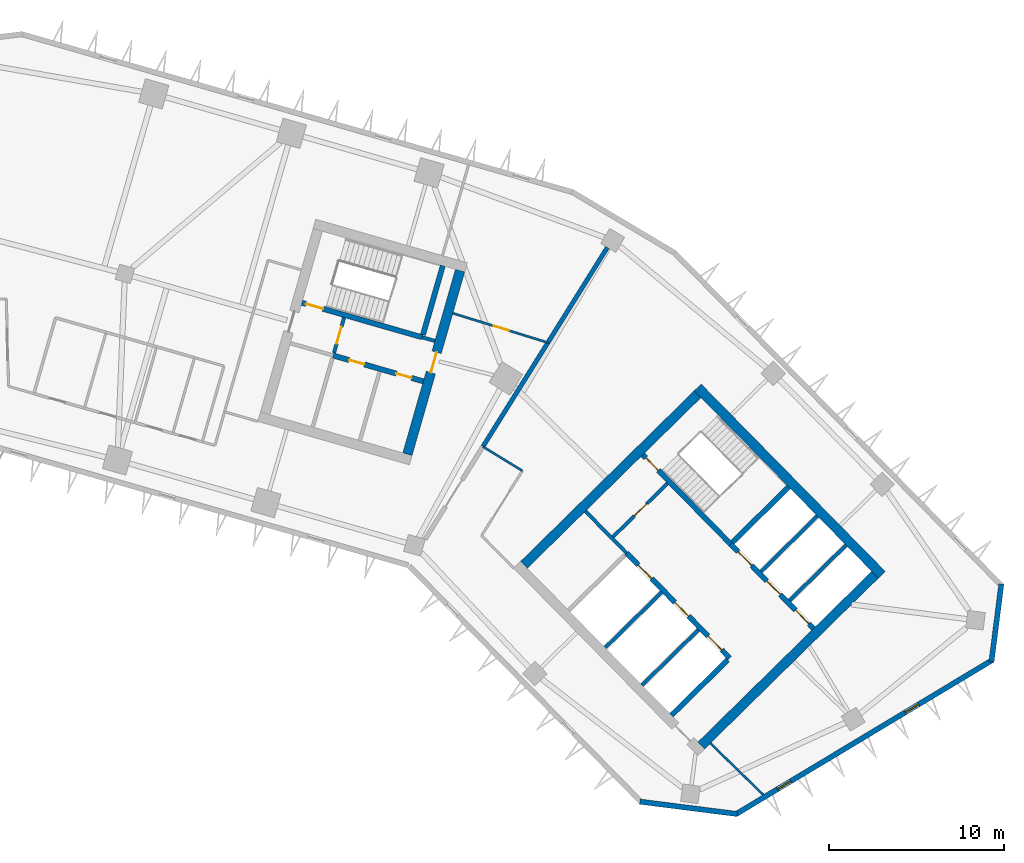
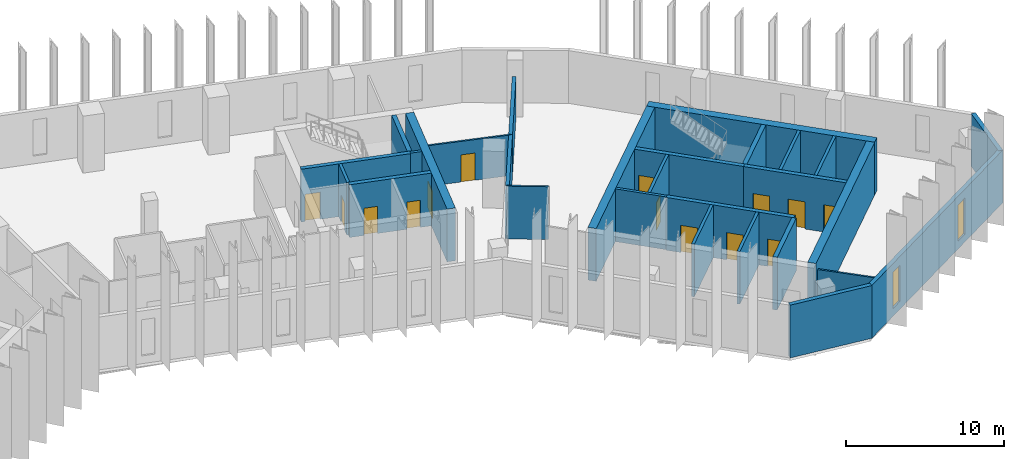
# One storey, part 6 of 11: 28 walls, 14 doors, 2 windows, 16 openings.
"""IFC4 building model written with IfcOpenShell, lengths in metres."""

from ifc_helpers import new_model, si_unit, direction, frame, frame_2d, origin, place, context, subcontext, project, spatial, rectangle, extrude, material, layer, layer_set, type_object, element, fill, save


model = new_model("IFC4")

# Units and contexts
model_context = context("Model", 3, precision=1e-05, world=origin(), true_north=direction((0.0, 1.0)))
body_context = subcontext(model_context, "Body", "Model", "MODEL_VIEW")
ifc_project = project(units=[si_unit("LENGTHUNIT", "METRE"), si_unit("AREAUNIT", "SQUARE_METRE"), si_unit("VOLUMEUNIT", "CUBIC_METRE"), si_unit("PLANEANGLEUNIT", "RADIAN"), si_unit("MASSUNIT", "GRAM", prefix="KILO")], contexts=[model_context])

# Site, building, storey
site_placement = place(None, origin())
site = spatial("IfcSite", under=ifc_project, at=site_placement, CompositionType="ELEMENT")
building_placement = place(site_placement, origin())
building = spatial("IfcBuilding", under=site, at=building_placement, Name="Binnacle Exchange Tower", CompositionType="ELEMENT")
storey_placement = place(building_placement, frame((0.0, 0.0, 123.5)))
storey = spatial("IfcBuildingStorey", under=building, at=storey_placement, Name="L25", CompositionType="ELEMENT", Elevation=123.5)

# Wall, openings, doors
ifc_material_1 = material(Name="Concrete C70/85", Category="concrete")
ifc_layer_1 = layer(ifc_material_1, 0.300048828125)
ifc_layer_set_1 = layer_set([ifc_layer_1], Name="Core wall - front 300")
wall_type_1 = type_object("IfcWallType", Name="Core wall - front 300", PredefinedType="SOLIDWALL", material=ifc_layer_set_1)
wall_1_placement = place(storey_placement, frame((37.8740234375, 41.41552734375, 0.0), z_axis=(0.0, 0.0, 1.0), x_axis=(0.700918271237, -0.71324159795, 0.0)))
wall_1 = element("IfcWall", 1, at=wall_1_placement, inside=storey, type_object=wall_type_1, Name="Core wall CRWB3", PredefinedType="SOLIDWALL", context=body_context, shape_type="SweptSolid", body=[
    extrude(rectangle(XDim=8.39990234375, YDim=0.300048828125, at=frame_2d((4.199951171875, 0.0))), origin(), (0.0, 0.0, 1.0), 4.080078125),
])
opening_1_placement = place(wall_1_placement, frame((0.949951171875, 0.0, 0.0)))
opening_1 = element("IfcOpeningElement", 2, at=opening_1_placement, cuts=wall_1, Name="Opening LD15", PredefinedType="OPENING", context=body_context, shape_type="SweptSolid", body=[
    extrude(rectangle(XDim=1.10009765625, YDim=2.10009765625, at=frame_2d((0.550048828125, 1.050048828125))), frame((0.0, 0.159912109375, 0.0), z_axis=(0.0, -1.0, 0.0), x_axis=(1.0, 0.0, 0.0)), (0.0, 0.0, 1.0), 0.320068359375),
])
opening_2_placement = place(wall_1_placement, frame((3.949951171875, 0.0, 0.0)))
opening_2 = element("IfcOpeningElement", 3, at=opening_2_placement, cuts=wall_1, Name="Opening LD16", PredefinedType="OPENING", context=body_context, shape_type="SweptSolid", body=[
    extrude(rectangle(XDim=1.10009765625, YDim=2.10009765625, at=frame_2d((0.550048828125, 1.050048828125))), frame((0.0, 0.159912109375, 0.0), z_axis=(0.0, -1.0, 0.0), x_axis=(1.0, 0.0, 0.0)), (0.0, 0.0, 1.0), 0.320068359375),
])
opening_3_placement = place(wall_1_placement, frame((6.64990234375, 0.0, 0.0)))
opening_3 = element("IfcOpeningElement", 4, at=opening_3_placement, cuts=wall_1, Name="Opening LD4", PredefinedType="OPENING", context=body_context, shape_type="SweptSolid", body=[
    extrude(rectangle(XDim=1.10009765625, YDim=2.10009765625, at=frame_2d((0.550048828125, 1.050048828125))), frame((0.0, 0.159912109375, 0.0), z_axis=(0.0, -1.0, 0.0), x_axis=(1.0, 0.0, 0.0)), (0.0, 0.0, 1.0), 0.320068359375),
])
ifc_material_2 = material(Name="Steel door leaf", Category="steel")
door_type_1 = type_object("IfcDoorType", Name="Fire door - lift landing 1100", OperationType="NOTDEFINED", PredefinedType="DOOR", material=ifc_material_2)
door_1_placement = place(opening_1_placement, origin())
door_1 = element("IfcDoor", 5, at=door_1_placement, inside=storey, type_object=door_type_1, Name="Landing door LD15 L25", OperationType="DOUBLE_DOOR_SLIDING", OverallHeight=2.10009765625, OverallWidth=1.10009765625, PredefinedType="DOOR", context=body_context, shape_type="SweptSolid", body=[
    extrude(rectangle(XDim=1.10009765625, YDim=2.10009765625, at=frame_2d((0.550048828125, 1.050048828125))), frame((0.0, 0.02490234375, 0.0), z_axis=(0.0, -1.0, 0.0), x_axis=(1.0, 0.0, 0.0)), (0.0, 0.0, 1.0), 0.050048828125),
])
fill(opening_1, door_1)
door_2_placement = place(opening_2_placement, origin())
door_2 = element("IfcDoor", 6, at=door_2_placement, inside=storey, type_object=door_type_1, Name="Landing door LD16 L25", OperationType="DOUBLE_DOOR_SLIDING", OverallHeight=2.10009765625, OverallWidth=1.10009765625, PredefinedType="DOOR", context=body_context, shape_type="SweptSolid", body=[
    extrude(rectangle(XDim=1.10009765625, YDim=2.10009765625, at=frame_2d((0.550048828125, 1.050048828125))), frame((0.0, 0.02490234375, 0.0), z_axis=(0.0, -1.0, 0.0), x_axis=(1.0, 0.0, 0.0)), (0.0, 0.0, 1.0), 0.050048828125),
])
fill(opening_2, door_2)
door_3_placement = place(opening_3_placement, origin())
door_3 = element("IfcDoor", 7, at=door_3_placement, inside=storey, type_object=door_type_1, Name="Landing door LD4 L25", OperationType="DOUBLE_DOOR_SLIDING", OverallHeight=2.10009765625, OverallWidth=1.10009765625, PredefinedType="DOOR", context=body_context, shape_type="SweptSolid", body=[
    extrude(rectangle(XDim=1.10009765625, YDim=2.10009765625, at=frame_2d((0.550048828125, 1.050048828125))), frame((0.0, 0.02490234375, 0.0), z_axis=(0.0, -1.0, 0.0), x_axis=(1.0, 0.0, 0.0)), (0.0, 0.0, 1.0), 0.050048828125),
])
fill(opening_3, door_3)

wall_2_placement = place(storey_placement, frame((43.818603515625, 41.92919921875, 0.0), z_axis=(0.0, 0.0, 1.0), x_axis=(0.700931209592, -0.713228882912, 0.0)))
wall_2 = element("IfcWall", 8, at=wall_2_placement, inside=storey, type_object=wall_type_1, Name="Core wall CRWB5", PredefinedType="SOLIDWALL", context=body_context, shape_type="SweptSolid", body=[
    extrude(rectangle(XDim=6.75, YDim=0.300048828125, at=frame_2d((3.375, 0.0))), origin(), (0.0, 0.0, 1.0), 4.080078125),
])
opening_4_placement = place(wall_2_placement, frame((0.614990234375, 0.0, 0.0)))
opening_4 = element("IfcOpeningElement", 9, at=opening_4_placement, cuts=wall_2, Name="Opening LD1", PredefinedType="OPENING", context=body_context, shape_type="SweptSolid", body=[
    extrude(rectangle(XDim=1.10009765625, YDim=2.10009765625, at=frame_2d((0.550048828125, 1.050048828125))), frame((0.0, 0.159912109375, 0.0), z_axis=(0.0, -1.0, 0.0), x_axis=(1.0, 0.0, 0.0)), (0.0, 0.0, 1.0), 0.320068359375),
])
opening_5_placement = place(wall_2_placement, frame((2.945068359375, 0.0, 0.0)))
opening_5 = element("IfcOpeningElement", 10, at=opening_5_placement, cuts=wall_2, Name="Opening LD2", PredefinedType="OPENING", context=body_context, shape_type="SweptSolid", body=[
    extrude(rectangle(XDim=1.10009765625, YDim=2.10009765625, at=frame_2d((0.550048828125, 1.050048828125))), frame((0.0, 0.159912109375, 0.0), z_axis=(0.0, -1.0, 0.0), x_axis=(1.0, 0.0, 0.0)), (0.0, 0.0, 1.0), 0.320068359375),
])
opening_6_placement = place(wall_2_placement, frame((5.280029296875, 0.0, 0.0)))
opening_6 = element("IfcOpeningElement", 11, at=opening_6_placement, cuts=wall_2, Name="Opening LD3", PredefinedType="OPENING", context=body_context, shape_type="SweptSolid", body=[
    extrude(rectangle(XDim=1.10009765625, YDim=2.10009765625, at=frame_2d((0.550048828125, 1.050048828125))), frame((0.0, 0.159912109375, 0.0), z_axis=(0.0, -1.0, 0.0), x_axis=(1.0, 0.0, 0.0)), (0.0, 0.0, 1.0), 0.320068359375),
])
door_4_placement = place(opening_4_placement, origin())
door_4 = element("IfcDoor", 12, at=door_4_placement, inside=storey, type_object=door_type_1, Name="Landing door LD1 L25", OperationType="DOUBLE_DOOR_SLIDING", OverallHeight=2.10009765625, OverallWidth=1.10009765625, PredefinedType="DOOR", context=body_context, shape_type="SweptSolid", body=[
    extrude(rectangle(XDim=1.10009765625, YDim=2.10009765625, at=frame_2d((0.550048828125, 1.050048828125))), frame((0.0, 0.02490234375, 0.0), z_axis=(0.0, -1.0, 0.0), x_axis=(1.0, 0.0, 0.0)), (0.0, 0.0, 1.0), 0.050048828125),
])
fill(opening_4, door_4)
door_5_placement = place(opening_5_placement, origin())
door_5 = element("IfcDoor", 13, at=door_5_placement, inside=storey, type_object=door_type_1, Name="Landing door LD2 L25", OperationType="DOUBLE_DOOR_SLIDING", OverallHeight=2.10009765625, OverallWidth=1.10009765625, PredefinedType="DOOR", context=body_context, shape_type="SweptSolid", body=[
    extrude(rectangle(XDim=1.10009765625, YDim=2.10009765625, at=frame_2d((0.550048828125, 1.050048828125))), frame((0.0, 0.02490234375, 0.0), z_axis=(0.0, -1.0, 0.0), x_axis=(1.0, 0.0, 0.0)), (0.0, 0.0, 1.0), 0.050048828125),
])
fill(opening_5, door_5)
door_6_placement = place(opening_6_placement, origin())
door_6 = element("IfcDoor", 14, at=door_6_placement, inside=storey, type_object=door_type_1, Name="Landing door LD3 L25", OperationType="DOUBLE_DOOR_SLIDING", OverallHeight=2.10009765625, OverallWidth=1.10009765625, PredefinedType="DOOR", context=body_context, shape_type="SweptSolid", body=[
    extrude(rectangle(XDim=1.10009765625, YDim=2.10009765625, at=frame_2d((0.550048828125, 1.050048828125))), frame((0.0, 0.02490234375, 0.0), z_axis=(0.0, -1.0, 0.0), x_axis=(1.0, 0.0, 0.0)), (0.0, 0.0, 1.0), 0.050048828125),
])
fill(opening_6, door_6)

# Wall
wall_3_placement = place(storey_placement, frame((40.445068359375, 32.1650390625, 0.0), z_axis=(0.0, 0.0, 1.0), x_axis=(0.713264577552, 0.700894886848, 0.0)))
element("IfcWall", 15, at=wall_3_placement, inside=storey, type_object=wall_type_1, Name="Core wall CRWB14", PredefinedType="SOLIDWALL", context=body_context, shape_type="SweptSolid", body=[
    extrude(rectangle(XDim=4.5, YDim=0.300048828125, at=frame_2d((2.25, 0.0))), origin(), (0.0, 0.0, 1.0), 4.080078125),
])

# Wall, openings, doors
wall_4_placement = place(storey_placement, frame((21.130859375, 52.6923828125, 0.0), z_axis=(0.0, 0.0, 1.0), x_axis=(0.961265220997, -0.27562506218, 0.0)))
wall_4 = element("IfcWall", 16, at=wall_4_placement, inside=storey, type_object=wall_type_1, Name="Core wall CRWD3", PredefinedType="SOLIDWALL", context=body_context, shape_type="SweptSolid", body=[
    extrude(rectangle(XDim=5.35009765625, YDim=0.300048828125, at=frame_2d((2.675048828125, 0.0))), origin(), (0.0, 0.0, 1.0), 4.080078125),
])
opening_7_placement = place(wall_4_placement, frame((0.949951171875, 0.0, 0.0)))
opening_7 = element("IfcOpeningElement", 17, at=opening_7_placement, cuts=wall_4, Name="Opening DD10", PredefinedType="OPENING", context=body_context, shape_type="SweptSolid", body=[
    extrude(rectangle(XDim=0.89990234375, YDim=2.10009765625, at=frame_2d((0.449951171875, 1.050048828125))), frame((0.0, 0.159912109375, 0.0), z_axis=(0.0, -1.0, 0.0), x_axis=(1.0, 0.0, 0.0)), (0.0, 0.0, 1.0), 0.320068359375),
])
opening_8_placement = place(wall_4_placement, frame((3.75, 0.0, 0.0)))
opening_8 = element("IfcOpeningElement", 18, at=opening_8_placement, cuts=wall_4, Name="Opening DD11", PredefinedType="OPENING", context=body_context, shape_type="SweptSolid", body=[
    extrude(rectangle(XDim=0.89990234375, YDim=2.10009765625, at=frame_2d((0.449951171875, 1.050048828125))), frame((0.0, 0.159912109375, 0.0), z_axis=(0.0, -1.0, 0.0), x_axis=(1.0, 0.0, 0.0)), (0.0, 0.0, 1.0), 0.320068359375),
])
door_type_2 = type_object("IfcDoorType", Name="Fire door 900", OperationType="NOTDEFINED", PredefinedType="DOOR", material=ifc_material_2)
door_7_placement = place(opening_7_placement, frame((0.89990234375, 0.0, 0.0), z_axis=(0.0, 0.0, 1.0), x_axis=(-1.0, 0.0, 0.0)))
door_7 = element("IfcDoor", 19, at=door_7_placement, inside=storey, type_object=door_type_2, Name="Core room door FIBRE ENTRY ROOM", OperationType="SINGLE_SWING_RIGHT", OverallHeight=2.10009765625, OverallWidth=0.89990234375, PredefinedType="DOOR", context=body_context, shape_type="SweptSolid", body=[
    extrude(rectangle(XDim=0.89990234375, YDim=2.10009765625, at=frame_2d((0.449951171875, 1.050048828125))), frame((0.0, 0.02490234375, 0.0), z_axis=(0.0, -1.0, 0.0), x_axis=(1.0, 0.0, 0.0)), (0.0, 0.0, 1.0), 0.050048828125),
])
fill(opening_7, door_7)
door_8_placement = place(opening_8_placement, frame((0.89990234375, 0.0, 0.0), z_axis=(0.0, 0.0, 1.0), x_axis=(-1.0, 0.0, 0.0)))
door_8 = element("IfcDoor", 20, at=door_8_placement, inside=storey, type_object=door_type_2, Name="Core room door ELECTRICAL ROOM", OperationType="SINGLE_SWING_LEFT", OverallHeight=2.10009765625, OverallWidth=0.89990234375, PredefinedType="DOOR", context=body_context, shape_type="SweptSolid", body=[
    extrude(rectangle(XDim=0.89990234375, YDim=2.10009765625, at=frame_2d((0.449951171875, 1.050048828125))), frame((0.0, 0.02490234375, 0.0), z_axis=(0.0, -1.0, 0.0), x_axis=(1.0, 0.0, 0.0)), (0.0, 0.0, 1.0), 0.050048828125),
])
fill(opening_8, door_8)

# Walls
ifc_layer_2 = layer(ifc_material_1, 0.550048828125)
ifc_layer_set_2 = layer_set([ifc_layer_2], Name="Core wall - outer 550")
wall_type_2 = type_object("IfcWallType", Name="Core wall - outer 550", PredefinedType="SOLIDWALL", material=ifc_layer_set_2)
wall_5_placement = place(storey_placement, frame((41.934326171875, 50.873291015625, 0.0), z_axis=(0.0, 0.0, 1.0), x_axis=(0.700911255944, -0.713248491965, 0.0)))
element("IfcWall", 21, at=wall_5_placement, inside=storey, type_object=wall_type_2, Name="Core wall CRWB6", PredefinedType="SOLIDWALL", context=body_context, shape_type="SweptSolid", body=[
    extrude(rectangle(XDim=15.0, YDim=0.550048828125, at=frame_2d((7.5, 0.0))), origin(), (0.0, 0.0, 1.0), 4.080078125),
])
for number, where, z_axis, x_axis, name in (
    (22, (32.0166015625, 40.74169921875, 0.0), (0.0, 0.0, 1.0), (0.713253550094, 0.700906108746, 0.0), "Core wall CRWB7"),
    (23, (42.144775390625, 30.435302734375, 0.0), (0.0, 0.0, 1.0), (0.713253550094, 0.700906108746, 0.0), "Core wall CRWB16"),
):
    element("IfcWall", number, at=place(storey_placement, frame(where, z_axis=z_axis, x_axis=x_axis)), inside=storey, type_object=wall_type_2, Name=name, PredefinedType="SOLIDWALL", context=body_context, shape_type="SweptSolid", body=[
        extrude(rectangle(XDim=13.900146484375, YDim=0.550048828125, at=frame_2d((6.9501953125, 0.0))), origin(), (0.0, 0.0, 1.0), 4.080078125),
    ])

# Wall, opening, door
wall_6_placement = place(storey_placement, frame((25.366455078125, 47.056640625, 0.0), z_axis=(0.0, 0.0, 1.0), x_axis=(0.275632146085, 0.96126318979, 0.0)))
wall_6 = element("IfcWall", 24, at=wall_6_placement, inside=storey, type_object=wall_type_2, Name="Core wall CRWD12", PredefinedType="SOLIDWALL", context=body_context, shape_type="SweptSolid", body=[
    extrude(rectangle(XDim=10.89990234375, YDim=0.550048828125, at=frame_2d((5.449951171875, 0.0))), origin(), (0.0, 0.0, 1.0), 4.080078125),
])
opening_9_placement = place(wall_6_placement, frame((4.849853515625, 0.0, 0.0)))
opening_9 = element("IfcOpeningElement", 25, at=opening_9_placement, cuts=wall_6, Name="Opening DD6", PredefinedType="OPENING", context=body_context, shape_type="SweptSolid", body=[
    extrude(rectangle(XDim=1.199951171875, YDim=2.10009765625, at=frame_2d((0.60009765625, 1.050048828125))), frame((0.0, 0.284912109375, 0.0), z_axis=(0.0, -1.0, 0.0), x_axis=(1.0, 0.0, 0.0)), (0.0, 0.0, 1.0), 0.570068359375),
])
door_type_3 = type_object("IfcDoorType", Name="Fire door 1200", OperationType="NOTDEFINED", PredefinedType="DOOR", material=ifc_material_2)
door_9_placement = place(opening_9_placement, frame((1.199951171875, 0.0, 0.0), z_axis=(0.0, 0.0, 1.0), x_axis=(-1.0, 0.0, 0.0)))
door_9 = element("IfcDoor", 26, at=door_9_placement, inside=storey, type_object=door_type_3, Name="Core passage exit door", OperationType="SINGLE_SWING_RIGHT", OverallHeight=2.10009765625, OverallWidth=1.199951171875, PredefinedType="DOOR", context=body_context, shape_type="SweptSolid", body=[
    extrude(rectangle(XDim=1.199951171875, YDim=2.10009765625, at=frame_2d((0.60009765625, 1.050048828125))), frame((0.0, 0.02490234375, 0.0), z_axis=(0.0, -1.0, 0.0), x_axis=(1.0, 0.0, 0.0)), (0.0, 0.0, 1.0), 0.050048828125),
])
fill(opening_9, door_9)

ifc_layer_3 = layer(ifc_material_1, 0.300048828125)
ifc_layer_set_3 = layer_set([ifc_layer_3], Name="Core wall - stair 300")
wall_type_3 = type_object("IfcWallType", Name="Core wall - stair 300", PredefinedType="SOLIDWALL", material=ifc_layer_set_3)
wall_7_placement = place(storey_placement, frame((38.806884765625, 47.029052734375, 0.0), z_axis=(0.0, 0.0, 1.0), x_axis=(0.700916852778, -0.713242991898, 0.0)))
wall_7 = element("IfcWall", 27, at=wall_7_placement, inside=storey, type_object=wall_type_3, Name="Core wall CRWB4", PredefinedType="SOLIDWALL", context=body_context, shape_type="SweptSolid", body=[
    extrude(rectangle(XDim=7.150146484375, YDim=0.300048828125, at=frame_2d((3.5751953125, 0.0))), origin(), (0.0, 0.0, 1.0), 4.080078125),
])
opening_10_placement = place(wall_7_placement, frame((0.25, 0.0, 0.0)))
opening_10 = element("IfcOpeningElement", 28, at=opening_10_placement, cuts=wall_7, Name="Opening DB1", PredefinedType="OPENING", context=body_context, shape_type="SweptSolid", body=[
    extrude(rectangle(XDim=1.0, YDim=2.10009765625, at=frame_2d((0.5, 1.050048828125))), frame((0.0, 0.159912109375, 0.0), z_axis=(0.0, -1.0, 0.0), x_axis=(1.0, 0.0, 0.0)), (0.0, 0.0, 1.0), 0.320068359375),
])
door_type_4 = type_object("IfcDoorType", Name="Fire door 1000", OperationType="NOTDEFINED", PredefinedType="DOOR", material=ifc_material_2)
door_10_placement = place(opening_10_placement, origin())
door_10 = element("IfcDoor", 29, at=door_10_placement, inside=storey, type_object=door_type_4, Name="Stair door ST-B1", OperationType="SINGLE_SWING_LEFT", OverallHeight=2.10009765625, OverallWidth=1.0, PredefinedType="DOOR", context=body_context, shape_type="SweptSolid", body=[
    extrude(rectangle(XDim=1.0, YDim=2.10009765625, at=frame_2d((0.5, 1.050048828125))), frame((0.0, 0.02490234375, 0.0), z_axis=(0.0, -1.0, 0.0), x_axis=(1.0, 0.0, 0.0)), (0.0, 0.0, 1.0), 0.050048828125),
])
fill(opening_10, door_10)

# Wall
wall_8_placement = place(storey_placement, frame((43.925537109375, 42.034423828125, 0.0), z_axis=(0.0, 0.0, 1.0), x_axis=(0.713210801054, 0.700949608217, 0.0)))
element("IfcWall", 30, at=wall_8_placement, inside=storey, type_object=wall_type_3, Name="Core wall CRWB11", PredefinedType="SOLIDWALL", context=body_context, shape_type="SweptSolid", body=[
    extrude(rectangle(XDim=4.5, YDim=0.300048828125, at=frame_2d((2.25, 0.0))), origin(), (0.0, 0.0, 1.0), 4.080078125),
])

# Wall, opening, door
wall_9_placement = place(storey_placement, frame((19.34130859375, 55.702392578125, 0.0), z_axis=(0.0, 0.0, 1.0), x_axis=(0.961263228157, -0.27563201228, 0.0)))
wall_9 = element("IfcWall", 31, at=wall_9_placement, inside=storey, type_object=wall_type_3, Name="Core wall CRWD4", PredefinedType="SOLIDWALL", context=body_context, shape_type="SweptSolid", body=[
    extrude(rectangle(XDim=7.149658203125, YDim=0.300048828125, at=frame_2d((3.57470703125, 0.0))), origin(), (0.0, 0.0, 1.0), 4.080078125),
])
opening_11_placement = place(wall_9_placement, frame((0.25, 0.0, 0.0)))
opening_11 = element("IfcOpeningElement", 32, at=opening_11_placement, cuts=wall_9, Name="Opening DD1", PredefinedType="OPENING", context=body_context, shape_type="SweptSolid", body=[
    extrude(rectangle(XDim=1.0, YDim=2.10009765625, at=frame_2d((0.5, 1.050048828125))), frame((0.0, 0.159912109375, 0.0), z_axis=(0.0, -1.0, 0.0), x_axis=(1.0, 0.0, 0.0)), (0.0, 0.0, 1.0), 0.320068359375),
])
door_11_placement = place(opening_11_placement, origin())
door_11 = element("IfcDoor", 33, at=door_11_placement, inside=storey, type_object=door_type_4, Name="Stair door ST-D1", OperationType="SINGLE_SWING_LEFT", OverallHeight=2.10009765625, OverallWidth=1.0, PredefinedType="DOOR", context=body_context, shape_type="SweptSolid", body=[
    extrude(rectangle(XDim=1.0, YDim=2.10009765625, at=frame_2d((0.5, 1.050048828125))), frame((0.0, 0.02490234375, 0.0), z_axis=(0.0, -1.0, 0.0), x_axis=(1.0, 0.0, 0.0)), (0.0, 0.0, 1.0), 0.050048828125),
])
fill(opening_11, door_11)

# Walls
wall_10_placement = place(storey_placement, frame((26.255615234375, 53.875732421875, 0.0), z_axis=(0.0, 0.0, 1.0), x_axis=(0.275641165445, 0.961260603537, 0.0)))
element("IfcWall", 34, at=wall_10_placement, inside=storey, type_object=wall_type_3, Name="Core wall CRWD11", PredefinedType="SOLIDWALL", context=body_context, shape_type="SweptSolid", body=[
    extrude(rectangle(XDim=4.10009765625, YDim=0.300048828125, at=frame_2d((2.050048828125, 0.0))), origin(), (0.0, 0.0, 1.0), 4.080078125),
])
ifc_material_3 = material(Name="Bronze aluminium cladding", Category="aluminium")
ifc_layer_4 = layer(ifc_material_3, 0.300048828125)
ifc_layer_set_4 = layer_set([ifc_layer_4], Name="External wall - spandrel 300")
wall_type_4 = type_object("IfcWallType", Name="External wall - spandrel 300", PredefinedType="STANDARD", material=ifc_layer_set_4)
wall_11_placement = place(storey_placement, frame((44.19580078125, 26.517822265625, 0.0), z_axis=(0.0, 0.0, 1.0), x_axis=(-0.992001881269, 0.126223086474, 0.0)))
element("IfcWall", 35, at=wall_11_placement, inside=storey, type_object=wall_type_4, Name="External wall EW-F10 L25", PredefinedType="STANDARD", context=body_context, shape_type="SweptSolid", body=[
    extrude(rectangle(XDim=5.6015625, YDim=0.300048828125, at=frame_2d((2.80078125, 0.0))), origin(), (0.0, 0.0, 1.0), 4.080078125),
])

# Wall, openings, windows
wall_12_placement = place(storey_placement, frame((58.7783203125, 35.317626953125, 0.0), z_axis=(0.0, 0.0, 1.0), x_axis=(-0.857168206138, -0.515036568009, 0.0)))
wall_12 = element("IfcWall", 36, at=wall_12_placement, inside=storey, type_object=wall_type_4, Name="External wall EW-F11 L25", PredefinedType="STANDARD", context=body_context, shape_type="SweptSolid", body=[
    extrude(rectangle(XDim=17.124755859375, YDim=0.300048828125, at=frame_2d((8.5625, 0.0))), origin(), (0.0, 0.0, 1.0), 4.080078125),
])
opening_12_placement = place(wall_12_placement, frame((13.435302734375, 0.0, 0.60009765625)))
opening_12 = element("IfcOpeningElement", 37, at=opening_12_placement, cuts=wall_12, Name="Opening WS2", PredefinedType="OPENING", context=body_context, shape_type="SweptSolid", body=[
    extrude(rectangle(XDim=0.89990234375, YDim=2.800048828125, at=frame_2d((0.449951171875, 1.39990234375))), frame((0.0, 0.159912109375, 0.0), z_axis=(0.0, -1.0, 0.0), x_axis=(1.0, 0.0, 0.0)), (0.0, 0.0, 1.0), 0.320068359375),
])
opening_13_placement = place(wall_12_placement, frame((4.935302734375, 0.0, 0.60009765625)))
opening_13 = element("IfcOpeningElement", 38, at=opening_13_placement, cuts=wall_12, Name="Opening WS2", PredefinedType="OPENING", context=body_context, shape_type="SweptSolid", body=[
    extrude(rectangle(XDim=0.89990234375, YDim=2.800048828125, at=frame_2d((0.449951171875, 1.39990234375))), frame((0.0, 0.159912109375, 0.0), z_axis=(0.0, -1.0, 0.0), x_axis=(1.0, 0.0, 0.0)), (0.0, 0.0, 1.0), 0.320068359375),
])
ifc_material_4 = material(Name="Bronze anodised aluminium frame", Category="aluminium")
window_type = type_object("IfcWindowType", Name="WS2 WINDOW 900x2800", PartitioningType="SINGLE_PANEL", PredefinedType="WINDOW", material=ifc_material_4)
window_1_placement = place(opening_12_placement, origin())
window_1 = element("IfcWindow", 39, at=window_1_placement, inside=storey, type_object=window_type, Name="Window WS2 L25", OverallHeight=2.800048828125, OverallWidth=0.89990234375, PartitioningType="SINGLE_PANEL", PredefinedType="WINDOW", context=body_context, shape_type="SweptSolid", body=[
    extrude(rectangle(XDim=0.89990234375, YDim=2.800048828125, at=frame_2d((0.449951171875, 1.39990234375))), frame((0.0, 0.030029296875, 0.0), z_axis=(0.0, -1.0, 0.0), x_axis=(1.0, 0.0, 0.0)), (0.0, 0.0, 1.0), 0.06005859375),
])
fill(opening_12, window_1)
window_2_placement = place(opening_13_placement, origin())
window_2 = element("IfcWindow", 40, at=window_2_placement, inside=storey, type_object=window_type, Name="Window WS2 L25", OverallHeight=2.800048828125, OverallWidth=0.89990234375, PartitioningType="SINGLE_PANEL", PredefinedType="WINDOW", context=body_context, shape_type="SweptSolid", body=[
    extrude(rectangle(XDim=0.89990234375, YDim=2.800048828125, at=frame_2d((0.449951171875, 1.39990234375))), frame((0.0, 0.030029296875, 0.0), z_axis=(0.0, -1.0, 0.0), x_axis=(1.0, 0.0, 0.0)), (0.0, 0.0, 1.0), 0.06005859375),
])
fill(opening_13, window_2)

# Walls
wall_13_placement = place(storey_placement, frame((59.27197265625, 39.6513671875, 0.0), z_axis=(0.0, 0.0, 1.0), x_axis=(-0.126181137886, -0.992007217938, 0.0)))
element("IfcWall", 41, at=wall_13_placement, inside=storey, type_object=wall_type_4, Name="External wall EW-F12 L25", PredefinedType="STANDARD", context=body_context, shape_type="SweptSolid", body=[
    extrude(rectangle(XDim=4.479248046875, YDim=0.300048828125, at=frame_2d((2.23974609375, 0.0))), origin(), (0.0, 0.0, 1.0), 4.080078125),
])
ifc_material_5 = material(Name="Concrete fire wall C30/37", Category="concrete")
ifc_layer_5 = layer(ifc_material_5, 0.25)
ifc_layer_set_5 = layer_set([ifc_layer_5], Name="Fire wall - compartment 250")
wall_type_5 = type_object("IfcWallType", Name="Fire wall - compartment 250", PredefinedType="PARTITIONING", material=ifc_layer_set_5)
wall_14_placement = place(storey_placement, frame((29.675048828125, 47.490966796875, 0.0), z_axis=(0.0, 0.0, 1.0), x_axis=(0.529992669945, 0.848002222759, 0.0)))
element("IfcWall", 42, at=wall_14_placement, inside=storey, type_object=wall_type_5, Name="Fire Wall W38", PredefinedType="PARTITIONING", context=body_context, shape_type="SweptSolid", body=[
    extrude(rectangle(XDim=7.0, YDim=0.25, at=frame_2d((3.5, 0.0))), origin(), (0.0, 0.0, 1.0), 3.14208984375),
])
wall_15_placement = place(storey_placement, frame((33.385009765625, 53.427001953125, 0.0), z_axis=(0.0, 0.0, 1.0), x_axis=(0.52989620904, 0.848062502204, 0.0)))
element("IfcWall", 43, at=wall_15_placement, inside=storey, type_object=wall_type_5, Name="Fire Wall W39", PredefinedType="PARTITIONING", context=body_context, shape_type="SweptSolid", body=[
    extrude(rectangle(XDim=6.40869140625, YDim=0.25, at=frame_2d((3.204345703125, 0.0))), origin(), (0.0, 0.0, 1.0), 3.14208984375),
])

# Wall, opening, door
ifc_material_6 = material(Name="Masonry block wall", Category="masonry")
ifc_layer_6 = layer(ifc_material_6, 0.199951171875)
ifc_layer_set_6 = layer_set([ifc_layer_6], Name="Fire wall - vestibule 200")
wall_type_6 = type_object("IfcWallType", Name="Fire wall - vestibule 200", PredefinedType="PARTITIONING", material=ifc_layer_set_6)
wall_16_placement = place(storey_placement, frame((37.104248046875, 42.341552734375, 0.0), z_axis=(0.0, 0.0, 1.0), x_axis=(0.713281298468, 0.700877870428, 0.0)))
wall_16 = element("IfcWall", 44, at=wall_16_placement, inside=storey, type_object=wall_type_6, Name="Core wall CRWB8", PredefinedType="PARTITIONING", context=body_context, shape_type="SweptSolid", body=[
    extrude(rectangle(XDim=4.35009765625, YDim=0.199951171875, at=frame_2d((2.175048828125, 0.0))), origin(), (0.0, 0.0, 1.0), 4.080078125),
])
opening_14_placement = place(wall_16_placement, frame((1.699951171875, 0.0, 0.0)))
opening_14 = element("IfcOpeningElement", 45, at=opening_14_placement, cuts=wall_16, Name="Opening DB3", PredefinedType="OPENING", context=body_context, shape_type="SweptSolid", body=[
    extrude(rectangle(XDim=1.0, YDim=2.10009765625, at=frame_2d((0.5, 1.050048828125))), frame((0.0, 0.10986328125, 0.0), z_axis=(0.0, -1.0, 0.0), x_axis=(1.0, 0.0, 0.0)), (0.0, 0.0, 1.0), 0.219970703125),
])
door_12_placement = place(opening_14_placement, origin())
door_12 = element("IfcDoor", 46, at=door_12_placement, inside=storey, type_object=door_type_4, Name="Vestibule door VEST-W", OperationType="SINGLE_SWING_RIGHT", OverallHeight=2.10009765625, OverallWidth=1.0, PredefinedType="DOOR", context=body_context, shape_type="SweptSolid", body=[
    extrude(rectangle(XDim=1.0, YDim=2.10009765625, at=frame_2d((0.5, 1.050048828125))), frame((0.0, 0.02490234375, 0.0), z_axis=(0.0, -1.0, 0.0), x_axis=(1.0, 0.0, 0.0)), (0.0, 0.0, 1.0), 0.050048828125),
])
fill(opening_14, door_12)

wall_17_placement = place(storey_placement, frame((21.172119140625, 52.836669921875, 0.0), z_axis=(0.0, 0.0, 1.0), x_axis=(0.275657676022, 0.961255868981, 0.0)))
wall_17 = element("IfcWall", 47, at=wall_17_placement, inside=storey, type_object=wall_type_6, Name="Core wall CRWD9", PredefinedType="PARTITIONING", context=body_context, shape_type="SweptSolid", body=[
    extrude(rectangle(XDim=2.099853515625, YDim=0.199951171875, at=frame_2d((1.0498046875, 0.0))), origin(), (0.0, 0.0, 1.0), 4.080078125),
])
opening_15_placement = place(wall_17_placement, frame((0.550048828125, 0.0, 0.0)))
opening_15 = element("IfcOpeningElement", 48, at=opening_15_placement, cuts=wall_17, Name="Opening DD3", PredefinedType="OPENING", context=body_context, shape_type="SweptSolid", body=[
    extrude(rectangle(XDim=1.0, YDim=2.10009765625, at=frame_2d((0.5, 1.050048828125))), frame((0.0, 0.10986328125, 0.0), z_axis=(0.0, -1.0, 0.0), x_axis=(1.0, 0.0, 0.0)), (0.0, 0.0, 1.0), 0.219970703125),
])
door_13_placement = place(opening_15_placement, origin())
door_13 = element("IfcDoor", 49, at=door_13_placement, inside=storey, type_object=door_type_4, Name="Vestibule door VEST-W", OperationType="SINGLE_SWING_RIGHT", OverallHeight=2.10009765625, OverallWidth=1.0, PredefinedType="DOOR", context=body_context, shape_type="SweptSolid", body=[
    extrude(rectangle(XDim=1.0, YDim=2.10009765625, at=frame_2d((0.5, 1.050048828125))), frame((0.0, 0.02490234375, 0.0), z_axis=(0.0, -1.0, 0.0), x_axis=(1.0, 0.0, 0.0)), (0.0, 0.0, 1.0), 0.050048828125),
])
fill(opening_15, door_13)

ifc_material_7 = material(Name="Gypsum partition")
ifc_layer_7 = layer(ifc_material_7, 0.125)
ifc_layer_set_7 = layer_set([ifc_layer_7], Name="Partition 125")
wall_type_7 = type_object("IfcWallType", Name="Partition 125", PredefinedType="PARTITIONING", material=ifc_layer_set_7)
wall_18_placement = place(storey_placement, frame((27.9599609375, 55.10302734375, 0.0), z_axis=(0.0, 0.0, 1.0), x_axis=(0.955442775069, -0.29517639399, 0.0)))
wall_18 = element("IfcWall", 50, at=wall_18_placement, inside=storey, type_object=wall_type_7, Name="Partition W34", PredefinedType="PARTITIONING", context=body_context, shape_type="SweptSolid", body=[
    extrude(rectangle(XDim=5.677978515625, YDim=0.125, at=frame_2d((2.8388671875, 0.0))), origin(), (0.0, 0.0, 1.0), 3.14208984375),
])
opening_16_placement = place(wall_18_placement, frame((2.449951171875, 0.0, 0.0)))
opening_16 = element("IfcOpeningElement", 51, at=opening_16_placement, cuts=wall_18, Name="Opening DL25-08", PredefinedType="OPENING", context=body_context, shape_type="SweptSolid", body=[
    extrude(rectangle(XDim=0.89990234375, YDim=2.10009765625, at=frame_2d((0.449951171875, 1.050048828125))), frame((0.0, 0.072509765625, 0.0), z_axis=(0.0, -1.0, 0.0), x_axis=(1.0, 0.0, 0.0)), (0.0, 0.0, 1.0), 0.14501953125),
])
ifc_material_8 = material(Name="Timber door leaf", Category="wood")
door_type_5 = type_object("IfcDoorType", Name="Door 900", OperationType="NOTDEFINED", PredefinedType="DOOR", material=ifc_material_8)
door_14_placement = place(opening_16_placement, origin())
door_14 = element("IfcDoor", 52, at=door_14_placement, inside=storey, type_object=door_type_5, Name="Door DL25-08", OperationType="SINGLE_SWING_RIGHT", OverallHeight=2.10009765625, OverallWidth=0.89990234375, PredefinedType="DOOR", context=body_context, shape_type="SweptSolid", body=[
    extrude(rectangle(XDim=0.89990234375, YDim=2.10009765625, at=frame_2d((0.449951171875, 1.050048828125))), frame((0.0, 0.02490234375, 0.0), z_axis=(0.0, -1.0, 0.0), x_axis=(1.0, 0.0, 0.0)), (0.0, 0.0, 1.0), 0.050048828125),
])
fill(opening_16, door_14)

# Walls
wall_19_placement = place(storey_placement, frame((29.675048828125, 47.490966796875, 0.0), z_axis=(0.0, 0.0, 1.0), x_axis=(0.852591965232, -0.522577210392, 0.0)))
element("IfcWall", 53, at=wall_19_placement, inside=storey, type_object=wall_type_7, Name="Partition W37", PredefinedType="PARTITIONING", context=body_context, shape_type="SweptSolid", body=[
    extrude(rectangle(XDim=2.644775390625, YDim=0.125, at=frame_2d((1.322265625, 0.0))), origin(), (0.0, 0.0, 1.0), 4.080078125),
])
wall_20_placement = place(storey_placement, frame((42.658935546875, 30.554931640625, 0.0), z_axis=(0.0, 0.0, 1.0), x_axis=(0.716925671772, -0.697149611743, 0.0)))
element("IfcWall", 54, at=wall_20_placement, inside=storey, type_object=wall_type_7, Name="Partition W40", PredefinedType="PARTITIONING", context=body_context, shape_type="SweptSolid", body=[
    extrude(rectangle(XDim=4.209716796875, YDim=0.125, at=frame_2d((2.10498046875, 0.0))), origin(), (0.0, 0.0, 1.0), 3.35205078125),
])
ifc_layer_8 = layer(ifc_material_6, 0.199951171875)
ifc_layer_set_8 = layer_set([ifc_layer_8], Name="Riser wall 200")
wall_type_8 = type_object("IfcWallType", Name="Riser wall 200", PredefinedType="SOLIDWALL", material=ifc_layer_set_8)
wall_21_placement = place(storey_placement, frame((35.526123046875, 43.804931640625, 0.0), z_axis=(0.0, 0.0, 1.0), x_axis=(0.700884863746, -0.713274426691, 0.0)))
element("IfcWall", 55, at=wall_21_placement, inside=storey, type_object=wall_type_8, Name="Core wall CRWB2", PredefinedType="SOLIDWALL", context=body_context, shape_type="SweptSolid", body=[
    extrude(rectangle(XDim=3.349853515625, YDim=0.199951171875, at=frame_2d((1.6748046875, 0.0))), origin(), (0.0, 0.0, 1.0), 4.080078125),
])
wall_22_placement = place(storey_placement, frame((26.214111328125, 53.731689453125, 0.0), z_axis=(0.0, 0.0, 1.0), x_axis=(0.961240918172, -0.275709806194, 0.0)))
element("IfcWall", 56, at=wall_22_placement, inside=storey, type_object=wall_type_8, Name="Core wall CRWD5", PredefinedType="SOLIDWALL", context=body_context, shape_type="SweptSolid", body=[
    extrude(rectangle(XDim=0.75, YDim=0.199951171875, at=frame_2d((0.375, 0.0))), origin(), (0.0, 0.0, 1.0), 4.080078125),
])
ifc_layer_9 = layer(ifc_material_6, 0.199951171875)
ifc_layer_set_9 = layer_set([ifc_layer_9], Name="Shaft wall 200")
wall_type_9 = type_object("IfcWallType", Name="Shaft wall 200", PredefinedType="SOLIDWALL", material=ifc_layer_set_9)
wall_23_placement = place(storey_placement, frame((36.66015625, 36.0166015625, 0.0), z_axis=(0.0, 0.0, 1.0), x_axis=(0.713264577552, 0.700894886848, 0.0)))
element("IfcWall", 57, at=wall_23_placement, inside=storey, type_object=wall_type_9, Name="Core wall CRWB10", PredefinedType="SOLIDWALL", context=body_context, shape_type="SweptSolid", body=[
    extrude(rectangle(XDim=4.5, YDim=0.199951171875, at=frame_2d((2.25, 0.0))), origin(), (0.0, 0.0, 1.0), 4.080078125),
])
wall_24_placement = place(storey_placement, frame((38.762939453125, 33.876708984375, 0.0), z_axis=(0.0, 0.0, 1.0), x_axis=(0.713237455685, 0.700922486305, 0.0)))
element("IfcWall", 58, at=wall_24_placement, inside=storey, type_object=wall_type_9, Name="Core wall CRWB12", PredefinedType="SOLIDWALL", context=body_context, shape_type="SweptSolid", body=[
    extrude(rectangle(XDim=4.500244140625, YDim=0.199951171875, at=frame_2d((2.25, 0.0))), origin(), (0.0, 0.0, 1.0), 4.080078125),
])
for number, where, z_axis, x_axis, name in (
    (59, (45.55859375, 40.37255859375, 0.0), (0.0, 0.0, 1.0), (0.713264577552, 0.700894886848, 0.0), "Core wall CRWB13"),
    (60, (47.191650390625, 38.710693359375, 0.0), (0.0, 0.0, 1.0), (0.713264577552, 0.700894886848, 0.0), "Core wall CRWB15"),
):
    element("IfcWall", number, at=place(storey_placement, frame(where, z_axis=z_axis, x_axis=x_axis)), inside=storey, type_object=wall_type_9, Name=name, PredefinedType="SOLIDWALL", context=body_context, shape_type="SweptSolid", body=[
        extrude(rectangle(XDim=4.5, YDim=0.199951171875, at=frame_2d((2.25, 0.0))), origin(), (0.0, 0.0, 1.0), 4.080078125),
    ])

save(model, "model.ifc")
